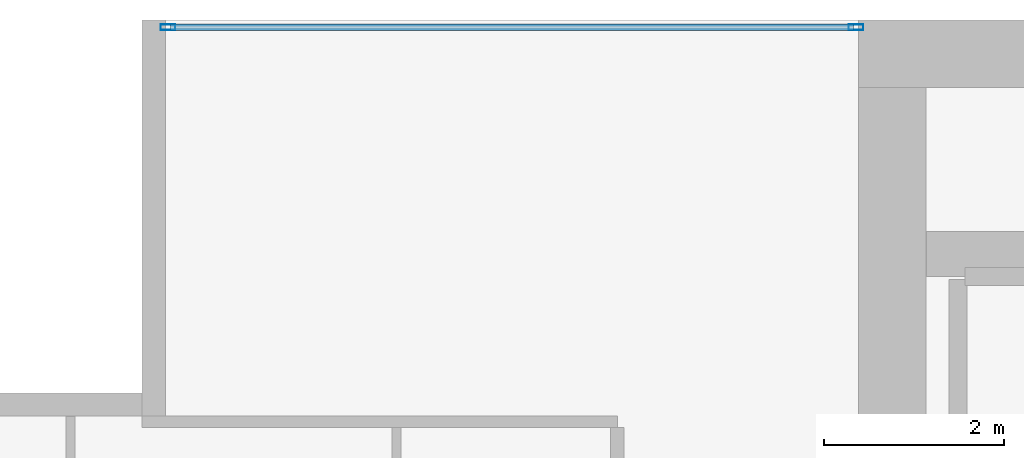
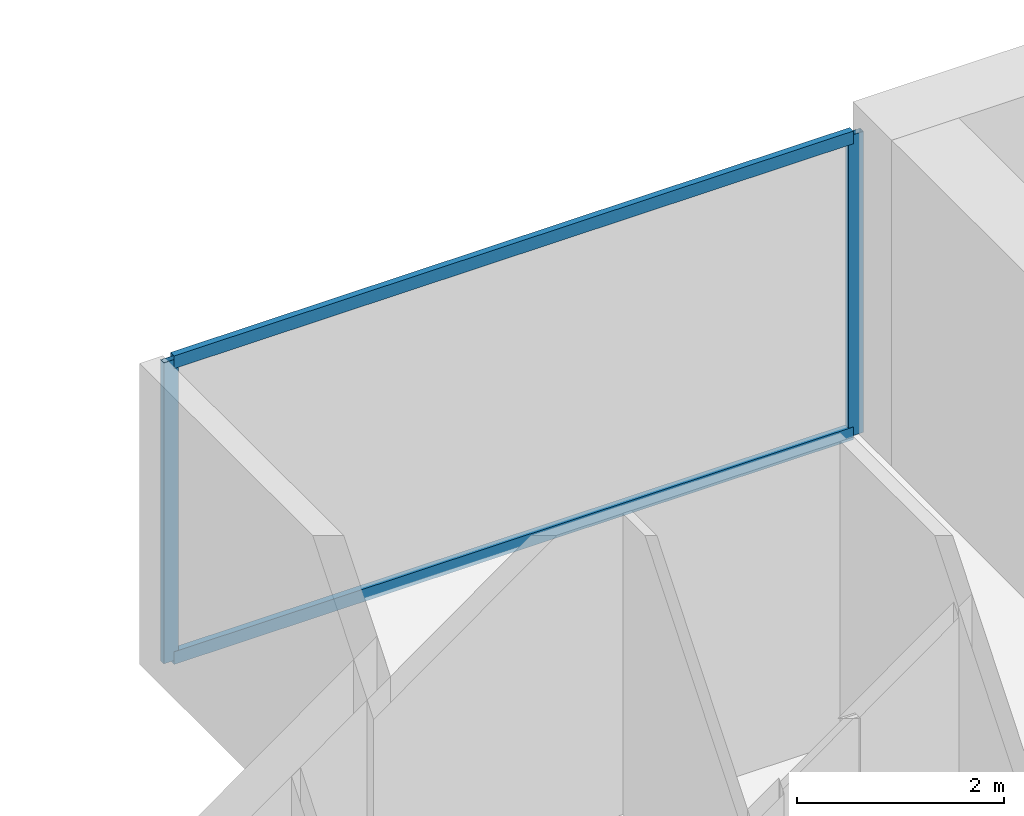
# One storey, part 22 of 32: 4 members, 1 element without a shape of its own.
"""IFC4 building model written with IfcOpenShell, lengths in metres."""

from ifc_helpers import new_model, si_unit, direction, frame, origin, origin_2d, place, context, subcontext, project, spatial, hollow_rectangle, extrude, material, layer, layer_set, material_profile, profile_set, type_object, element, aggregate, save


model = new_model("IFC4")

# Units and contexts
model_context = context("Model", 3, precision=1e-05, world=origin(), true_north=direction((0.0, 1.0)))
body_context = subcontext(model_context, "Body", "Model", "MODEL_VIEW")
ifc_project = project(units=[si_unit("LENGTHUNIT", "METRE"), si_unit("AREAUNIT", "SQUARE_METRE"), si_unit("VOLUMEUNIT", "CUBIC_METRE"), si_unit("PLANEANGLEUNIT", "RADIAN"), si_unit("MASSUNIT", "GRAM", prefix="KILO")], contexts=[model_context])

# Site, building, storey
site_placement = place(None, origin())
site = spatial("IfcSite", under=ifc_project, at=site_placement, CompositionType="ELEMENT")
building_placement = place(site_placement, origin())
building = spatial("IfcBuilding", under=site, at=building_placement, Name="Maruvema Waterfront Hotel and Observation Tower", CompositionType="ELEMENT")
storey_placement = place(building_placement, frame((0.0, 0.0, 223.64990234375)))
storey = spatial("IfcBuildingStorey", under=building, at=storey_placement, Name="L55", CompositionType="ELEMENT", Elevation=223.64990234375)

# Curtain wall, members
ifc_material_1 = material(Name="Anodised bronze aluminium and solar-control low-E IGU", Category="aluminium")
ifc_layer = layer(ifc_material_1, 0.159912109375, Name="Zone 2 Amber Inner Thermal Curtain Wall System CW-03")
ifc_layer_set = layer_set([ifc_layer], Name="Anodised bronze aluminium and solar-control low-E IGU")
curtain_wall_type = type_object("IfcCurtainWallType", Name="Zone 2 Amber Inner Thermal Curtain Wall System CW-03", PredefinedType="USERDEFINED", material=ifc_layer_set)
curtain_wall_placement = place(storey_placement, origin())
curtain_wall = element("IfcCurtainWall", 1, at=curtain_wall_placement, inside=storey, type_object=curtain_wall_type, Name="L55 Curtain Wall CW-L55-NW", ObjectType="UNITISED CURTAIN WALL", PredefinedType="USERDEFINED")
ifc_material_2 = material(Name="Anodised architectural bronze aluminium", Category="aluminium")
ifc_material_profile_1 = material_profile(ifc_material_2, hollow_rectangle(XDim=0.070068359375, YDim=0.14990234375, WallThickness=0.00390625, at=origin_2d()), Name="ALU-T70x150")
ifc_profile_set_1 = profile_set([ifc_material_profile_1], Name="Anodised architectural bronze aluminium")
member_type_1 = type_object("IfcMemberType", Name="Curtain Wall Horizontal Transom ALU-T70x150", PredefinedType="USERDEFINED", material=ifc_profile_set_1)
member_1_placement = place(storey_placement, frame((25.139892578125, 53.919921875, 0.030029296875), z_axis=(-1.0, 0.0, 0.0), x_axis=(0.0, -1.0, 0.0)))
member_1 = element("IfcMember", 2, at=member_1_placement, type_object=member_type_1, Name="CW-03 transom 1.1", ObjectType="TRANSOM", PredefinedType="USERDEFINED", context=body_context, shape_type="SweptSolid", body=[
    extrude(hollow_rectangle(XDim=0.070068359375, YDim=0.14990234375, WallThickness=0.00390625, at=origin_2d()), origin(), (0.0, 0.0, 1.0), 7.579833984375),
])
member_2_placement = place(storey_placement, frame((25.139892578125, 53.919921875, 3.52001953125), z_axis=(-1.0, 0.0, 0.0), x_axis=(0.0, -1.0, 0.0)))
member_2 = element("IfcMember", 3, at=member_2_placement, type_object=member_type_1, Name="CW-03 transom 1.2", ObjectType="TRANSOM", PredefinedType="USERDEFINED", context=body_context, shape_type="SweptSolid", body=[
    extrude(hollow_rectangle(XDim=0.070068359375, YDim=0.14990234375, WallThickness=0.00390625, at=origin_2d()), origin(), (0.0, 0.0, 1.0), 7.579833984375),
])
ifc_material_3 = material(Name="Anodised architectural bronze aluminium", Category="aluminium")
ifc_material_profile_2 = material_profile(ifc_material_3, hollow_rectangle(XDim=0.06494140625, YDim=0.1650390625, WallThickness=0.00390625, at=origin_2d()), Name="ALU-M65x165")
ifc_profile_set_2 = profile_set([ifc_material_profile_2], Name="Anodised architectural bronze aluminium")
member_type_2 = type_object("IfcMemberType", Name="Curtain Wall Primary Mullion ALU-M65x165", PredefinedType="MULLION", material=ifc_profile_set_2)
member_3_placement = place(storey_placement, frame((25.169921875, 53.919921875, 0.0), z_axis=(0.0, 0.0, 1.0), x_axis=(0.0, -1.0, 0.0)))
member_3 = element("IfcMember", 4, at=member_3_placement, type_object=member_type_2, Name="CW-03 mullion 1", PredefinedType="MULLION", context=body_context, shape_type="SweptSolid", body=[
    extrude(hollow_rectangle(XDim=0.06494140625, YDim=0.1650390625, WallThickness=0.00390625, at=origin_2d()), origin(), (0.0, 0.0, 1.0), 3.550048828125),
])
member_4_placement = place(storey_placement, frame((17.530029296875, 53.919921875, 0.0), z_axis=(0.0, 0.0, 1.0), x_axis=(0.0, -1.0, 0.0)))
member_4 = element("IfcMember", 5, at=member_4_placement, type_object=member_type_2, Name="CW-03 mullion 2", PredefinedType="MULLION", context=body_context, shape_type="SweptSolid", body=[
    extrude(hollow_rectangle(XDim=0.06494140625, YDim=0.1650390625, WallThickness=0.00390625, at=origin_2d()), origin(), (0.0, 0.0, 1.0), 3.550048828125),
])
aggregate(curtain_wall, [member_3, member_4, member_1, member_2])

save(model, "model.ifc")
